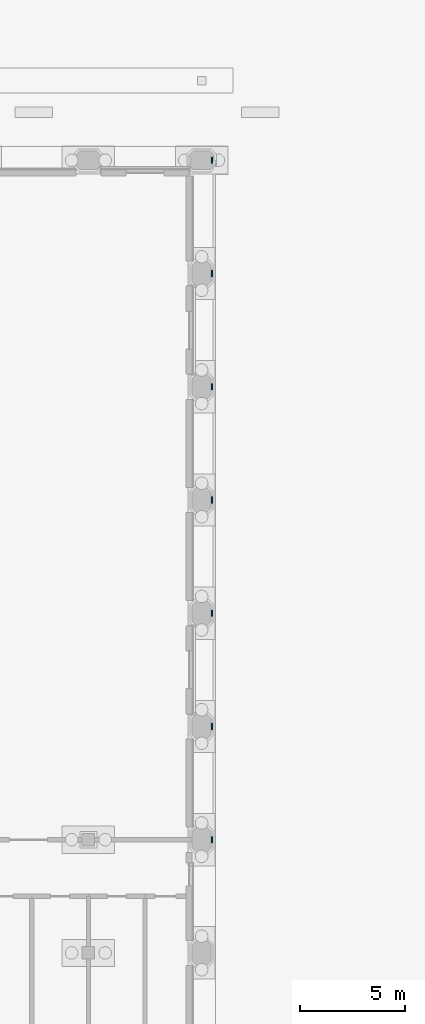
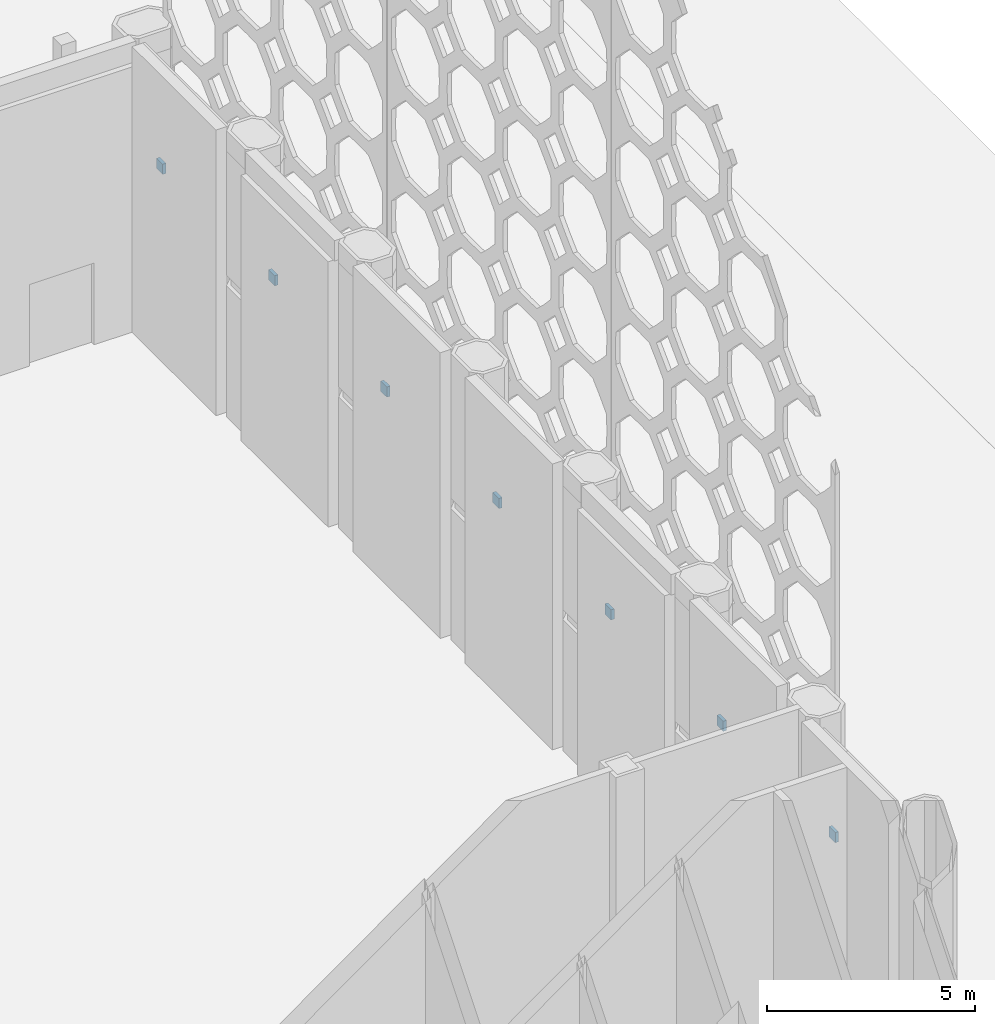
# One storey, part 40 of 54: 7 discrete accessories.
"""IFC4 building model written with IfcOpenShell, lengths in metres."""

from ifc_helpers import new_model, si_unit, direction, frame, origin, origin_2d, place, context, subcontext, project, spatial, rectangle, extrude, element, save


model = new_model("IFC4")

# Units and contexts
model_context = context("Model", 3, precision=1e-05, world=origin(), true_north=direction((0.0, 1.0)))
body_context = subcontext(model_context, "Body", "Model", "MODEL_VIEW")
ifc_project = project(units=[si_unit("LENGTHUNIT", "METRE"), si_unit("AREAUNIT", "SQUARE_METRE"), si_unit("VOLUMEUNIT", "CUBIC_METRE"), si_unit("PLANEANGLEUNIT", "RADIAN"), si_unit("MASSUNIT", "GRAM", prefix="KILO")], contexts=[model_context])

# Site, building, storey
site_placement = place(None, origin())
site = spatial("IfcSite", under=ifc_project, at=site_placement, CompositionType="ELEMENT")
building_placement = place(site_placement, origin())
building = spatial("IfcBuilding", under=site, at=building_placement, Name="Tabaq Tower and Sports Hall", CompositionType="ELEMENT")
storey_placement = place(building_placement, origin())
storey = spatial("IfcBuildingStorey", under=building, at=storey_placement, Name="L00", CompositionType="ELEMENT", Elevation=0.0)

# Discrete accessories
for number, where, z_axis, x_axis, name in (
    (1, (124.695068359375, 10.800048828125, 3.85009765625), (0.0, 0.0, 1.0), (1.0, 0.0, 0.0), "Screen bracket 02-1"),
    (2, (124.695068359375, 16.199951171875, 3.85009765625), (0.0, 0.0, 1.0), (1.0, 0.0, 0.0), "Screen bracket 03-1"),
    (3, (124.695068359375, 21.60009765625, 3.85009765625), (0.0, 0.0, 1.0), (1.0, 0.0, 0.0), "Screen bracket 04-1"),
    (4, (124.695068359375, 27.0, 3.85009765625), (0.0, 0.0, 1.0), (1.0, 0.0, 0.0), "Screen bracket 05-1"),
    (5, (124.695068359375, 32.39990234375, 3.85009765625), (0.0, 0.0, 1.0), (1.0, 0.0, 0.0), "Screen bracket 06-1"),
    (6, (124.695068359375, 37.800048828125, 3.85009765625), (0.0, 0.0, 1.0), (1.0, 0.0, 0.0), "Screen bracket 07-1"),
    (7, (124.695068359375, 43.199951171875, 3.85009765625), (0.0, 0.0, 1.0), (1.0, 0.0, 0.0), "Screen bracket 08-1"),
):
    element("IfcDiscreteAccessory", number, at=place(storey_placement, frame(where, z_axis=z_axis, x_axis=x_axis)), inside=storey, Name=name, PredefinedType="NOTDEFINED", context=body_context, shape_type="SweptSolid", body=[
        extrude(rectangle(XDim=0.090087890625, YDim=0.300048828125, at=origin_2d()), origin(), (0.0, 0.0, 1.0), 0.300048828125),
    ])

save(model, "model.ifc")
